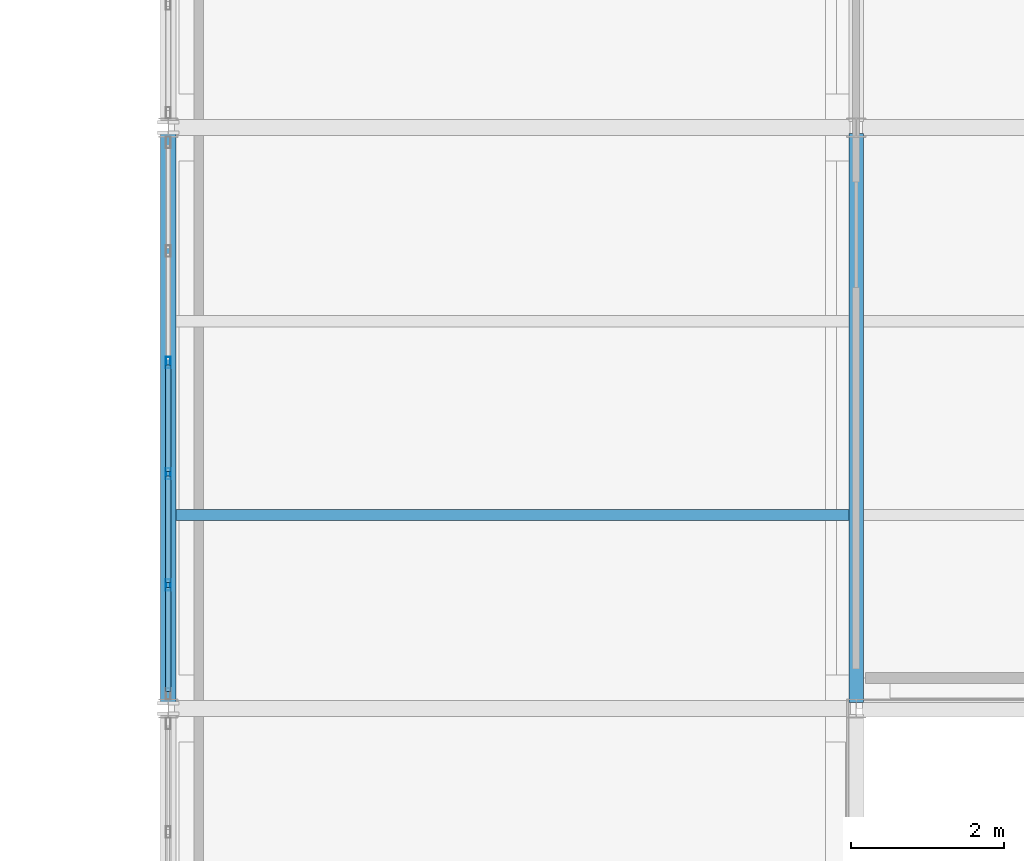
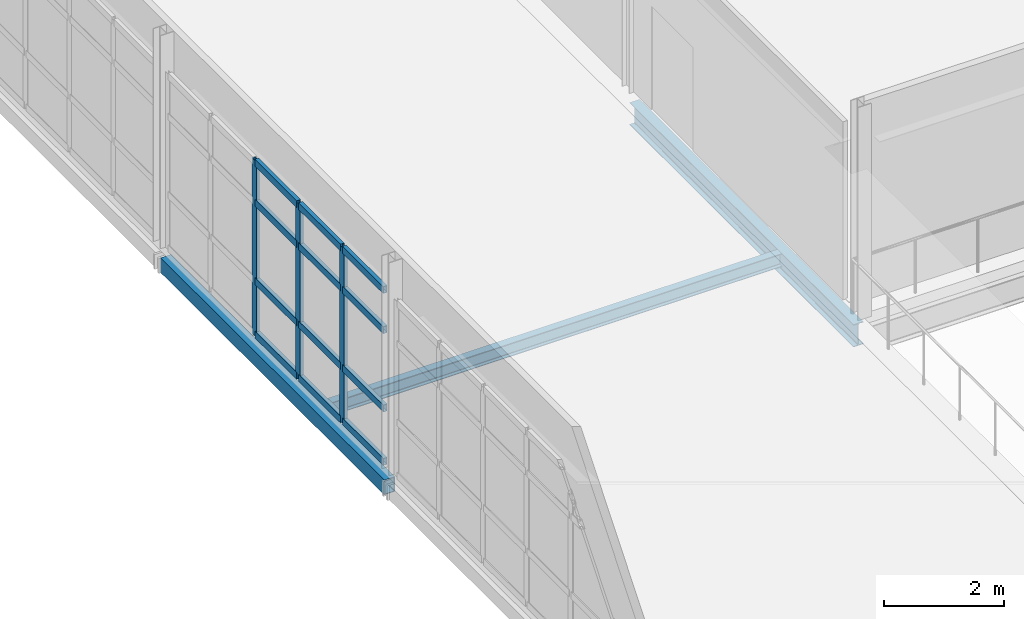
# One storey, part 21 of 48: 15 members, 3 beams, 1 element without a shape of its own.
"""IFC4 building model written with IfcOpenShell, lengths in metres."""

from ifc_helpers import new_model, si_unit, direction, frame, origin, origin_2d, place, context, subcontext, project, spatial, hollow_rectangle, i_section, extrude, material, material_profile, profile_set, type_object, element, aggregate, save


model = new_model("IFC4")

# Units and contexts
model_context = context("Model", 3, precision=1e-05, world=origin(), true_north=direction((0.0, 1.0)))
body_context = subcontext(model_context, "Body", "Model", "MODEL_VIEW")
ifc_project = project(units=[si_unit("LENGTHUNIT", "METRE"), si_unit("AREAUNIT", "SQUARE_METRE"), si_unit("VOLUMEUNIT", "CUBIC_METRE"), si_unit("PLANEANGLEUNIT", "RADIAN"), si_unit("MASSUNIT", "GRAM", prefix="KILO")], contexts=[model_context])

# Site, building, storey
site_placement = place(None, origin())
site = spatial("IfcSite", under=ifc_project, at=site_placement, CompositionType="ELEMENT")
building_placement = place(site_placement, origin())
building = spatial("IfcBuilding", under=site, at=building_placement, Name="Caisbarro Railhouse Central Library", CompositionType="ELEMENT")
storey_placement = place(building_placement, frame((0.0, 0.0, 18.0)))
storey = spatial("IfcBuildingStorey", under=building, at=storey_placement, Name="L04", CompositionType="ELEMENT", Elevation=18.0)

# Beams
ifc_material_1 = material(Name="Steel ASTM A572 Grade 50", Category="steel")
ifc_material_profile_1 = material_profile(ifc_material_1, i_section(OverallWidth=0.18994140625, OverallDepth=0.45703125, WebThickness=0.009033203125, FlangeThickness=0.014404296875, FilletRadius=0.01806640625, at=origin_2d()), Name="W460X74.0")
ifc_profile_set_1 = profile_set([ifc_material_profile_1], Name="Steel ASTM A572 Grade 50")
beam_type_1 = type_object("IfcBeamType", Name="BM-G08", PredefinedType="BEAM", material=ifc_profile_set_1)
beam_1_placement = place(storey_placement, frame((126.0, 91.280029296875, -0.448486328125), z_axis=(0.0, 1.0, 0.0), x_axis=(-1.0, 0.0, 0.0)))
element("IfcBeam", 1, at=beam_1_placement, inside=storey, type_object=beam_type_1, Name="G08 beam L04 #2103", PredefinedType="BEAM", context=body_context, shape_type="SweptSolid", body=[
    extrude(i_section(OverallWidth=0.18994140625, OverallDepth=0.45703125, WebThickness=0.009033203125, FlangeThickness=0.014404296875, FilletRadius=0.01806640625, at=origin_2d()), origin(), (0.0, 0.0, 1.0), 7.43994140625),
])
ifc_material_profile_2 = material_profile(ifc_material_1, i_section(OverallWidth=0.14794921875, OverallDepth=0.26611328125, WebThickness=0.007568359375, FlangeThickness=0.012939453125, FilletRadius=0.010009765625, at=origin_2d()), Name="W250X44.8")
ifc_profile_set_2 = profile_set([ifc_material_profile_2], Name="Steel ASTM A572 Grade 50")
beam_type_2 = type_object("IfcBeamType", Name="BM-J04", PredefinedType="JOIST", material=ifc_profile_set_2)
beam_2_placement = place(storey_placement, frame((117.10009765625, 93.7333984375, -0.35302734375), z_axis=(1.0, 0.0, 0.0), x_axis=(0.0, 1.0, 0.0)))
element("IfcBeam", 2, at=beam_2_placement, inside=storey, type_object=beam_type_2, Name="J04 beam L04 #2122", PredefinedType="JOIST", context=body_context, shape_type="SweptSolid", body=[
    extrude(i_section(OverallWidth=0.14794921875, OverallDepth=0.26611328125, WebThickness=0.007568359375, FlangeThickness=0.012939453125, FilletRadius=0.010009765625, at=origin_2d()), origin(), (0.0, 0.0, 1.0), 8.804931640625),
])
ifc_material_profile_3 = material_profile(ifc_material_1, hollow_rectangle(XDim=0.199951171875, YDim=0.300048828125, WallThickness=0.012451171875, at=origin_2d()), Name="HSS300X200X12.5")
ifc_profile_set_3 = profile_set([ifc_material_profile_3], Name="Steel ASTM A572 Grade 50")
beam_type_3 = type_object("IfcBeamType", Name="BM-SP02", PredefinedType="SPANDREL", material=ifc_profile_set_3)
beam_3_placement = place(storey_placement, frame((117.0, 91.280029296875, -0.3701171875), z_axis=(0.0, 1.0, 0.0), x_axis=(-1.0, 0.0, 0.0)))
element("IfcBeam", 3, at=beam_3_placement, inside=storey, type_object=beam_type_3, Name="SP02 beam L04 #2097", PredefinedType="SPANDREL", context=body_context, shape_type="SweptSolid", body=[
    extrude(hollow_rectangle(XDim=0.199951171875, YDim=0.300048828125, WallThickness=0.012451171875, at=origin_2d()), origin(), (0.0, 0.0, 1.0), 7.43994140625),
])

# Curtain wall, members
ifc_material_2 = material(Name="Anodised architectural aluminium", Category="aluminium")
curtain_wall_type = type_object("IfcCurtainWallType", Name="CW-CW02", PredefinedType="NOTDEFINED", material=ifc_material_2)
curtain_wall_placement = place(storey_placement, origin())
curtain_wall = element("IfcCurtainWall", 4, at=curtain_wall_placement, inside=storey, type_object=curtain_wall_type, Name="CW02 curtain wall L04 #158", PredefinedType="NOTDEFINED")
ifc_material_profile_4 = material_profile(ifc_material_2, hollow_rectangle(XDim=0.06494140625, YDim=0.14990234375, WallThickness=0.00390625, at=origin_2d()), Name="ALU-MUL-65X150")
ifc_profile_set_4 = profile_set([ifc_material_profile_4], Name="Anodised architectural aluminium")
member_type_1 = type_object("IfcMemberType", Name="CWM-M02", PredefinedType="MULLION", material=ifc_profile_set_4)
member_1_placement = place(storey_placement, frame((117.0, 92.81591796875, 0.0), z_axis=(0.0, 0.0, 1.0), x_axis=(-1.0, 0.0, 0.0)))
member_1 = element("IfcMember", 5, at=member_1_placement, type_object=member_type_1, Name="CW02 mullion 2", PredefinedType="MULLION", context=body_context, shape_type="SweptSolid", body=[
    extrude(hollow_rectangle(XDim=0.06494140625, YDim=0.14990234375, WallThickness=0.00390625, at=origin_2d()), origin(), (0.0, 0.0, 1.0), 3.56005859375),
])
member_2_placement = place(storey_placement, frame((117.0, 94.27197265625, 0.0), z_axis=(0.0, 0.0, 1.0), x_axis=(-1.0, 0.0, 0.0)))
member_2 = element("IfcMember", 6, at=member_2_placement, type_object=member_type_1, Name="CW02 mullion 3", PredefinedType="MULLION", context=body_context, shape_type="SweptSolid", body=[
    extrude(hollow_rectangle(XDim=0.06494140625, YDim=0.14990234375, WallThickness=0.00390625, at=origin_2d()), origin(), (0.0, 0.0, 1.0), 3.56005859375),
])
member_3_placement = place(storey_placement, frame((117.0, 95.72802734375, 0.0), z_axis=(0.0, 0.0, 1.0), x_axis=(-1.0, 0.0, 0.0)))
member_3 = element("IfcMember", 7, at=member_3_placement, type_object=member_type_1, Name="CW02 mullion 4", PredefinedType="MULLION", context=body_context, shape_type="SweptSolid", body=[
    extrude(hollow_rectangle(XDim=0.06494140625, YDim=0.14990234375, WallThickness=0.00390625, at=origin_2d()), origin(), (0.0, 0.0, 1.0), 3.56005859375),
])
ifc_material_profile_5 = material_profile(ifc_material_2, hollow_rectangle(XDim=0.074951171875, YDim=0.139892578125, WallThickness=0.00390625, at=origin_2d()), Name="ALU-TRN-75X140")
ifc_profile_set_5 = profile_set([ifc_material_profile_5], Name="Anodised architectural aluminium")
member_type_2 = type_object("IfcMemberType", Name="CWT-T01", PredefinedType="USERDEFINED", material=ifc_profile_set_5)
member_4_placement = place(storey_placement, frame((117.0, 91.425048828125, 0.03759765625), z_axis=(0.0, 1.0, 0.0), x_axis=(-1.0, 0.0, 0.0)))
member_4 = element("IfcMember", 8, at=member_4_placement, type_object=member_type_2, Name="CW02 transom 1.1", ObjectType="TRANSOM", PredefinedType="USERDEFINED", context=body_context, shape_type="SweptSolid", body=[
    extrude(hollow_rectangle(XDim=0.074951171875, YDim=0.139892578125, WallThickness=0.00390625, at=origin_2d()), origin(), (0.0, 0.0, 1.0), 1.3583984375),
])
member_5_placement = place(storey_placement, frame((117.0, 91.425048828125, 1.1201171875), z_axis=(0.0, 1.0, 0.0), x_axis=(-1.0, 0.0, 0.0)))
member_5 = element("IfcMember", 9, at=member_5_placement, type_object=member_type_2, Name="CW02 transom 1.2", ObjectType="TRANSOM", PredefinedType="USERDEFINED", context=body_context, shape_type="SweptSolid", body=[
    extrude(hollow_rectangle(XDim=0.074951171875, YDim=0.139892578125, WallThickness=0.00390625, at=origin_2d()), origin(), (0.0, 0.0, 1.0), 1.3583984375),
])
member_6_placement = place(storey_placement, frame((117.0, 91.425048828125, 2.7099609375), z_axis=(0.0, 1.0, 0.0), x_axis=(-1.0, 0.0, 0.0)))
member_6 = element("IfcMember", 10, at=member_6_placement, type_object=member_type_2, Name="CW02 transom 1.3", ObjectType="TRANSOM", PredefinedType="USERDEFINED", context=body_context, shape_type="SweptSolid", body=[
    extrude(hollow_rectangle(XDim=0.074951171875, YDim=0.139892578125, WallThickness=0.00390625, at=origin_2d()), origin(), (0.0, 0.0, 1.0), 1.3583984375),
])
member_7_placement = place(storey_placement, frame((117.0, 91.425048828125, 3.5224609375), z_axis=(0.0, 1.0, 0.0), x_axis=(-1.0, 0.0, 0.0)))
member_7 = element("IfcMember", 11, at=member_7_placement, type_object=member_type_2, Name="CW02 transom 1.4", ObjectType="TRANSOM", PredefinedType="USERDEFINED", context=body_context, shape_type="SweptSolid", body=[
    extrude(hollow_rectangle(XDim=0.074951171875, YDim=0.139892578125, WallThickness=0.00390625, at=origin_2d()), origin(), (0.0, 0.0, 1.0), 1.3583984375),
])
member_8_placement = place(storey_placement, frame((117.0, 92.848388671875, 0.03759765625), z_axis=(0.0, 1.0, 0.0), x_axis=(-1.0, 0.0, 0.0)))
member_8 = element("IfcMember", 12, at=member_8_placement, type_object=member_type_2, Name="CW02 transom 2.1", ObjectType="TRANSOM", PredefinedType="USERDEFINED", context=body_context, shape_type="SweptSolid", body=[
    extrude(hollow_rectangle(XDim=0.074951171875, YDim=0.139892578125, WallThickness=0.00390625, at=origin_2d()), origin(), (0.0, 0.0, 1.0), 1.39111328125),
])
member_9_placement = place(storey_placement, frame((117.0, 92.848388671875, 1.1201171875), z_axis=(0.0, 1.0, 0.0), x_axis=(-1.0, 0.0, 0.0)))
member_9 = element("IfcMember", 13, at=member_9_placement, type_object=member_type_2, Name="CW02 transom 2.2", ObjectType="TRANSOM", PredefinedType="USERDEFINED", context=body_context, shape_type="SweptSolid", body=[
    extrude(hollow_rectangle(XDim=0.074951171875, YDim=0.139892578125, WallThickness=0.00390625, at=origin_2d()), origin(), (0.0, 0.0, 1.0), 1.39111328125),
])
member_10_placement = place(storey_placement, frame((117.0, 92.848388671875, 2.7099609375), z_axis=(0.0, 1.0, 0.0), x_axis=(-1.0, 0.0, 0.0)))
member_10 = element("IfcMember", 14, at=member_10_placement, type_object=member_type_2, Name="CW02 transom 2.3", ObjectType="TRANSOM", PredefinedType="USERDEFINED", context=body_context, shape_type="SweptSolid", body=[
    extrude(hollow_rectangle(XDim=0.074951171875, YDim=0.139892578125, WallThickness=0.00390625, at=origin_2d()), origin(), (0.0, 0.0, 1.0), 1.39111328125),
])
member_11_placement = place(storey_placement, frame((117.0, 92.848388671875, 3.5224609375), z_axis=(0.0, 1.0, 0.0), x_axis=(-1.0, 0.0, 0.0)))
member_11 = element("IfcMember", 15, at=member_11_placement, type_object=member_type_2, Name="CW02 transom 2.4", ObjectType="TRANSOM", PredefinedType="USERDEFINED", context=body_context, shape_type="SweptSolid", body=[
    extrude(hollow_rectangle(XDim=0.074951171875, YDim=0.139892578125, WallThickness=0.00390625, at=origin_2d()), origin(), (0.0, 0.0, 1.0), 1.39111328125),
])
member_12_placement = place(storey_placement, frame((117.0, 94.304443359375, 0.03759765625), z_axis=(0.0, 1.0, 0.0), x_axis=(-1.0, 0.0, 0.0)))
member_12 = element("IfcMember", 16, at=member_12_placement, type_object=member_type_2, Name="CW02 transom 3.1", ObjectType="TRANSOM", PredefinedType="USERDEFINED", context=body_context, shape_type="SweptSolid", body=[
    extrude(hollow_rectangle(XDim=0.074951171875, YDim=0.139892578125, WallThickness=0.00390625, at=origin_2d()), origin(), (0.0, 0.0, 1.0), 1.39111328125),
])
member_13_placement = place(storey_placement, frame((117.0, 94.304443359375, 1.1201171875), z_axis=(0.0, 1.0, 0.0), x_axis=(-1.0, 0.0, 0.0)))
member_13 = element("IfcMember", 17, at=member_13_placement, type_object=member_type_2, Name="CW02 transom 3.2", ObjectType="TRANSOM", PredefinedType="USERDEFINED", context=body_context, shape_type="SweptSolid", body=[
    extrude(hollow_rectangle(XDim=0.074951171875, YDim=0.139892578125, WallThickness=0.00390625, at=origin_2d()), origin(), (0.0, 0.0, 1.0), 1.39111328125),
])
member_14_placement = place(storey_placement, frame((117.0, 94.304443359375, 2.7099609375), z_axis=(0.0, 1.0, 0.0), x_axis=(-1.0, 0.0, 0.0)))
member_14 = element("IfcMember", 18, at=member_14_placement, type_object=member_type_2, Name="CW02 transom 3.3", ObjectType="TRANSOM", PredefinedType="USERDEFINED", context=body_context, shape_type="SweptSolid", body=[
    extrude(hollow_rectangle(XDim=0.074951171875, YDim=0.139892578125, WallThickness=0.00390625, at=origin_2d()), origin(), (0.0, 0.0, 1.0), 1.39111328125),
])
member_15_placement = place(storey_placement, frame((117.0, 94.304443359375, 3.5224609375), z_axis=(0.0, 1.0, 0.0), x_axis=(-1.0, 0.0, 0.0)))
member_15 = element("IfcMember", 19, at=member_15_placement, type_object=member_type_2, Name="CW02 transom 3.4", ObjectType="TRANSOM", PredefinedType="USERDEFINED", context=body_context, shape_type="SweptSolid", body=[
    extrude(hollow_rectangle(XDim=0.074951171875, YDim=0.139892578125, WallThickness=0.00390625, at=origin_2d()), origin(), (0.0, 0.0, 1.0), 1.39111328125),
])
aggregate(curtain_wall, [member_1, member_2, member_3, member_4, member_5, member_6, member_7, member_8, member_9, member_10, member_11, member_12, member_13, member_14, member_15])

save(model, "model.ifc")
